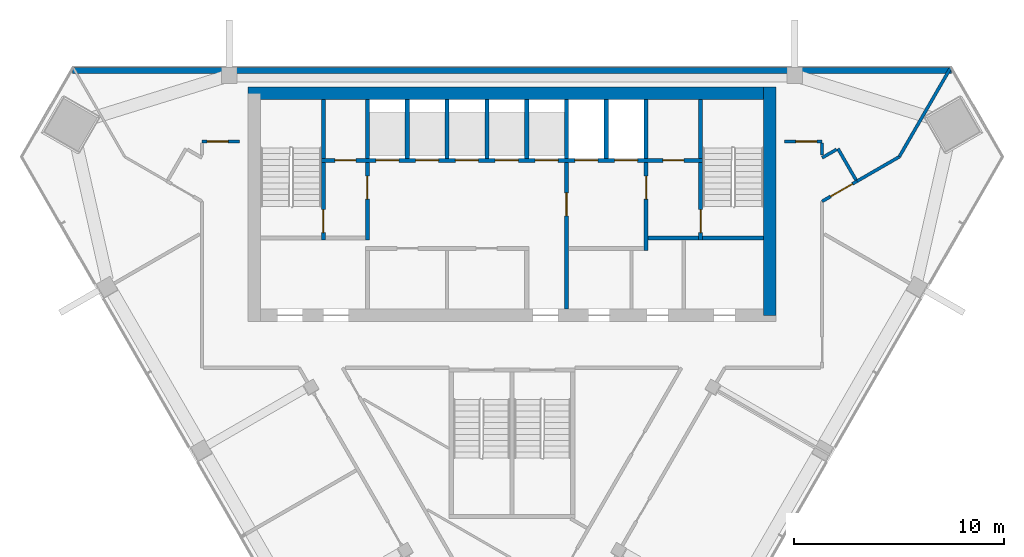
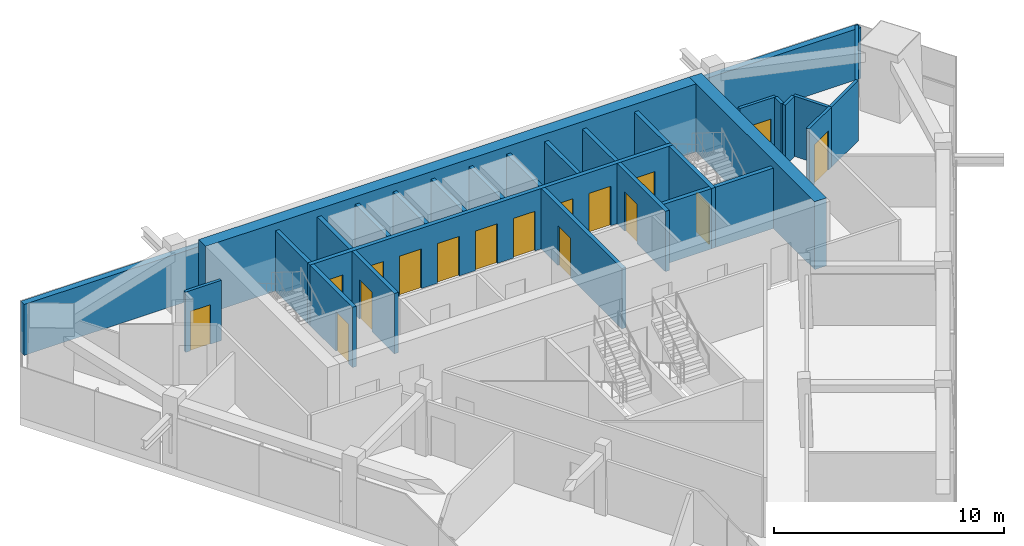
# One storey, part 9 of 12: 29 walls, 17 doors, 17 openings.
"""IFC4 building model written with IfcOpenShell, lengths in metres."""

from ifc_helpers import new_model, si_unit, direction, frame, frame_2d, origin, place, context, subcontext, project, spatial, rectangle, extrude, material, layer, layer_set, type_object, element, fill, save


model = new_model("IFC4")

# Units and contexts
model_context = context("Model", 3, precision=1e-05, world=origin(), true_north=direction((0.0, 1.0)))
body_context = subcontext(model_context, "Body", "Model", "MODEL_VIEW")
ifc_project = project(units=[si_unit("LENGTHUNIT", "METRE"), si_unit("AREAUNIT", "SQUARE_METRE"), si_unit("VOLUMEUNIT", "CUBIC_METRE"), si_unit("PLANEANGLEUNIT", "RADIAN"), si_unit("MASSUNIT", "GRAM", prefix="KILO")], contexts=[model_context])

# Site, building, storey
site_placement = place(None, origin())
site = spatial("IfcSite", under=ifc_project, at=site_placement, CompositionType="ELEMENT")
building_placement = place(site_placement, origin())
building = spatial("IfcBuilding", under=site, at=building_placement, Name="Altiplano Prism Tower", CompositionType="ELEMENT")
storey_placement = place(building_placement, frame((0.0, 0.0, 260.800048828125)))
storey = spatial("IfcBuildingStorey", under=building, at=storey_placement, Name="L67", CompositionType="ELEMENT", Elevation=260.800048828125)

# Walls
ifc_material_1 = material(Name="Concrete C60/75", Category="concrete")
ifc_layer_1 = layer(ifc_material_1, 0.60009765625)
ifc_layer_set_1 = layer_set([ifc_layer_1], Name="Concrete C60/75")
wall_type_1 = type_object("IfcWallType", Name="Core wall 600", PredefinedType="SHEAR", material=ifc_layer_set_1)
wall_1_placement = place(storey_placement, frame((97.300048828125, 93.10009765625, 0.0), z_axis=(0.0, 0.0, 1.0), x_axis=(0.0, 1.0, 0.0)))
element("IfcWall", 1, at=wall_1_placement, inside=storey, type_object=wall_type_1, Name="Core wall E L67", PredefinedType="SHEAR", context=body_context, shape_type="SweptSolid", body=[
    extrude(rectangle(XDim=10.89990234375, YDim=0.60009765625, at=frame_2d((5.449951171875, 0.0))), origin(), (0.0, 0.0, 1.0), 3.599853515625),
])
wall_2_placement = place(storey_placement, frame((97.300048828125, 103.699951171875, 0.0), z_axis=(0.0, 0.0, 1.0), x_axis=(-1.0, 0.0, 0.0)))
element("IfcWall", 2, at=wall_2_placement, inside=storey, type_object=wall_type_1, Name="Core wall N L67", PredefinedType="SHEAR", context=body_context, shape_type="SweptSolid", body=[
    extrude(rectangle(XDim=24.900146484375, YDim=0.60009765625, at=frame_2d((12.4501953125, 0.0))), origin(), (0.0, 0.0, 1.0), 3.599853515625),
])

# Wall, opening, door
ifc_material_2 = material(Name="Plasterboard on steel stud", Category="steel")
ifc_layer_2 = layer(ifc_material_2, 0.14990234375)
ifc_layer_set_2 = layer_set([ifc_layer_2], Name="Plasterboard on steel stud")
wall_type_2 = type_object("IfcWallType", Name="Partition 150 corridor", PredefinedType="PARTITIONING", material=ifc_layer_set_2)
wall_3_placement = place(storey_placement, frame((99.800048828125, 98.543212890625, 0.0), z_axis=(0.0, 0.0, 1.0), x_axis=(0.865996321171, 0.50005036918, 0.0)))
wall_3 = element("IfcWall", 3, at=wall_3_placement, inside=storey, type_object=wall_type_2, Name="Partition P06 L67 010", PredefinedType="PARTITIONING", context=body_context, shape_type="SweptSolid", body=[
    extrude(rectangle(XDim=1.933349609375, YDim=0.14990234375, at=frame_2d((0.966796875, 0.0))), origin(), (0.0, 0.0, 1.0), 3.199951171875),
])
opening_1_placement = place(wall_3_placement, frame((0.466064453125, 0.0, 0.0)))
opening_1 = element("IfcOpeningElement", 4, at=opening_1_placement, cuts=wall_3, Name="Opening D2149", PredefinedType="OPENING", context=body_context, shape_type="SweptSolid", body=[
    extrude(rectangle(XDim=1.199951171875, YDim=2.10009765625, at=frame_2d((0.60009765625, 1.050048828125))), frame((0.0, 0.08544921875, 0.0), z_axis=(0.0, -1.0, 0.0), x_axis=(1.0, 0.0, 0.0)), (0.0, 0.0, 1.0), 0.1708984375),
])
ifc_material_3 = material(Name="Timber", Category="wood")
door_type_1 = type_object("IfcDoorType", Name="Shared room door 1200 x 2100", OperationType="NOTDEFINED", PredefinedType="NOTDEFINED", material=ifc_material_3)
door_1_placement = place(opening_1_placement, origin())
door_1 = element("IfcDoor", 5, at=door_1_placement, inside=storey, type_object=door_type_1, Name="Door D2149", OperationType="SINGLE_SWING_RIGHT", OverallHeight=2.10009765625, OverallWidth=1.199951171875, PredefinedType="NOTDEFINED", context=body_context, shape_type="SweptSolid", body=[
    extrude(rectangle(XDim=1.199951171875, YDim=2.10009765625, at=frame_2d((0.60009765625, 1.050048828125))), frame((0.0, 0.02490234375, 0.0), z_axis=(0.0, -1.0, 0.0), x_axis=(1.0, 0.0, 0.0)), (0.0, 0.0, 1.0), 0.050048828125),
])
fill(opening_1, door_1)

wall_4_placement = place(storey_placement, frame((72.0, 101.39990234375, 0.0), z_axis=(0.0, 0.0, 1.0), x_axis=(-1.0, 0.0, 0.0)))
wall_4 = element("IfcWall", 6, at=wall_4_placement, inside=storey, type_object=wall_type_2, Name="Partition P06 L67 011", PredefinedType="PARTITIONING", context=body_context, shape_type="SweptSolid", body=[
    extrude(rectangle(XDim=1.800048828125, YDim=0.14990234375, at=frame_2d((0.89990234375, 0.0))), origin(), (0.0, 0.0, 1.0), 3.199951171875),
])
opening_2_placement = place(wall_4_placement, frame((0.550048828125, 0.0, 0.0)))
opening_2 = element("IfcOpeningElement", 7, at=opening_2_placement, cuts=wall_4, Name="Opening D2150", PredefinedType="OPENING", context=body_context, shape_type="SweptSolid", body=[
    extrude(rectangle(XDim=1.0, YDim=2.10009765625, at=frame_2d((0.5, 1.050048828125))), frame((0.0, 0.08544921875, 0.0), z_axis=(0.0, -1.0, 0.0), x_axis=(1.0, 0.0, 0.0)), (0.0, 0.0, 1.0), 0.1708984375),
])
door_type_2 = type_object("IfcDoorType", Name="Room door 1000 x 2100", OperationType="NOTDEFINED", PredefinedType="NOTDEFINED", material=ifc_material_3)
door_2_placement = place(opening_2_placement, origin())
door_2 = element("IfcDoor", 8, at=door_2_placement, inside=storey, type_object=door_type_2, Name="Door D2150", OperationType="SINGLE_SWING_LEFT", OverallHeight=2.10009765625, OverallWidth=1.0, PredefinedType="NOTDEFINED", context=body_context, shape_type="SweptSolid", body=[
    extrude(rectangle(XDim=1.0, YDim=2.10009765625, at=frame_2d((0.5, 1.050048828125))), frame((0.0, 0.02490234375, 0.0), z_axis=(0.0, -1.0, 0.0), x_axis=(1.0, 0.0, 0.0)), (0.0, 0.0, 1.0), 0.050048828125),
])
fill(opening_2, door_2)

# Walls
wall_5_placement = place(storey_placement, frame((101.41943359375, 99.56494140625, 0.0), z_axis=(0.0, 0.0, 1.0), x_axis=(-0.499914405916, 0.866074815912, 0.0)))
element("IfcWall", 9, at=wall_5_placement, inside=storey, type_object=wall_type_2, Name="Partition P06 L67 015", PredefinedType="PARTITIONING", context=body_context, shape_type="SweptSolid", body=[
    extrude(rectangle(XDim=1.724853515625, YDim=0.14990234375, at=frame_2d((0.8623046875, 0.0))), origin(), (0.0, 0.0, 1.0), 3.199951171875),
])
wall_6_placement = place(storey_placement, frame((100.4921875, 101.021240234375, 0.0), z_axis=(0.0, 0.0, 1.0), x_axis=(-0.86612963205, -0.499819427878, 0.0)))
element("IfcWall", 10, at=wall_6_placement, inside=storey, type_object=wall_type_2, Name="Partition P06 L67 016", PredefinedType="PARTITIONING", context=body_context, shape_type="SweptSolid", body=[
    extrude(rectangle(XDim=0.799072265625, YDim=0.14990234375, at=frame_2d((0.3994140625, 0.0))), origin(), (0.0, 0.0, 1.0), 3.199951171875),
])
wall_7_placement = place(storey_placement, frame((99.800048828125, 100.751708984375, 0.0), z_axis=(0.0, 0.0, 1.0), x_axis=(0.0, 1.0, 0.0)))
element("IfcWall", 11, at=wall_7_placement, inside=storey, type_object=wall_type_2, Name="Partition P06 L67 017", PredefinedType="PARTITIONING", context=body_context, shape_type="SweptSolid", body=[
    extrude(rectangle(XDim=0.5732421875, YDim=0.14990234375, at=frame_2d((0.28662109375, 0.0))), origin(), (0.0, 0.0, 1.0), 3.199951171875),
])

# Wall, opening, door
wall_8_placement = place(storey_placement, frame((99.800048828125, 101.39990234375, 0.0), z_axis=(0.0, 0.0, 1.0), x_axis=(-1.0, 0.0, 0.0)))
wall_8 = element("IfcWall", 12, at=wall_8_placement, inside=storey, type_object=wall_type_2, Name="Partition P06 L67 018", PredefinedType="PARTITIONING", context=body_context, shape_type="SweptSolid", body=[
    extrude(rectangle(XDim=1.800048828125, YDim=0.14990234375, at=frame_2d((0.89990234375, 0.0))), origin(), (0.0, 0.0, 1.0), 3.199951171875),
])
opening_3_placement = place(wall_8_placement, frame((0.25, 0.0, 0.0)))
opening_3 = element("IfcOpeningElement", 13, at=opening_3_placement, cuts=wall_8, Name="Opening D2151", PredefinedType="OPENING", context=body_context, shape_type="SweptSolid", body=[
    extrude(rectangle(XDim=1.0, YDim=2.10009765625, at=frame_2d((0.5, 1.050048828125))), frame((0.0, 0.08544921875, 0.0), z_axis=(0.0, -1.0, 0.0), x_axis=(1.0, 0.0, 0.0)), (0.0, 0.0, 1.0), 0.1708984375),
])
door_type_3 = type_object("IfcDoorType", Name="Store door 1000 x 2100", OperationType="NOTDEFINED", PredefinedType="NOTDEFINED", material=ifc_material_3)
door_3_placement = place(opening_3_placement, origin())
door_3 = element("IfcDoor", 14, at=door_3_placement, inside=storey, type_object=door_type_3, Name="Door D2151", OperationType="SINGLE_SWING_RIGHT", OverallHeight=2.10009765625, OverallWidth=1.0, PredefinedType="NOTDEFINED", context=body_context, shape_type="SweptSolid", body=[
    extrude(rectangle(XDim=1.0, YDim=2.10009765625, at=frame_2d((0.5, 1.050048828125))), frame((0.0, 0.02490234375, 0.0), z_axis=(0.0, -1.0, 0.0), x_axis=(1.0, 0.0, 0.0)), (0.0, 0.0, 1.0), 0.050048828125),
])
fill(opening_3, door_3)

# Walls
ifc_layer_3 = layer(ifc_material_2, 0.14990234375)
ifc_layer_set_3 = layer_set([ifc_layer_3], Name="Plasterboard on steel stud")
wall_type_3 = type_object("IfcWallType", Name="Partition 150 party", PredefinedType="PARTITIONING", material=ifc_layer_set_3)
wall_9_placement = place(storey_placement, frame((105.92431640625, 104.89990234375, 0.0), z_axis=(0.0, 0.0, 1.0), x_axis=(-0.499997844476, -0.866026648273, 0.0)))
element("IfcWall", 15, at=wall_9_placement, inside=storey, type_object=wall_type_3, Name="Partition P01 L67 032", PredefinedType="PARTITIONING", context=body_context, shape_type="SweptSolid", body=[
    extrude(rectangle(XDim=4.8857421875, YDim=0.14990234375, at=frame_2d((2.44287109375, 0.0))), origin(), (0.0, 0.0, 1.0), 2.699951171875),
])
wall_10_placement = place(storey_placement, frame((103.4814453125, 100.668701171875, 0.0), z_axis=(0.0, 0.0, 1.0), x_axis=(-0.866042970182, -0.499969572873, 0.0)))
element("IfcWall", 16, at=wall_10_placement, inside=storey, type_object=wall_type_3, Name="Partition P01 L67 033", PredefinedType="PARTITIONING", context=body_context, shape_type="SweptSolid", body=[
    extrude(rectangle(XDim=2.337646484375, YDim=0.14990234375, at=frame_2d((1.1689453125, 0.0))), origin(), (0.0, 0.0, 1.0), 3.199951171875),
])
ifc_layer_4 = layer(ifc_material_1, 0.199951171875)
ifc_layer_set_4 = layer_set([ifc_layer_4], Name="Concrete C60/75")
wall_type_4 = type_object("IfcWallType", Name="Shaft wall 200", PredefinedType="SOLIDWALL", material=ifc_layer_set_4)
for number, where, z_axis, x_axis, name in (
    (17, (78.10009765625, 100.60009765625, 0.0), (0.0, 0.0, 1.0), (0.0, 1.0, 0.0), "Shaft wall L67"),
    (18, (80.0, 100.60009765625, 0.0), (0.0, 0.0, 1.0), (0.0, 1.0, 0.0), "Shaft wall L67"),
    (19, (81.89990234375, 100.60009765625, 0.0), (0.0, 0.0, 1.0), (0.0, 1.0, 0.0), "Shaft wall L67"),
    (20, (83.800048828125, 100.60009765625, 0.0), (0.0, 0.0, 1.0), (0.0, 1.0, 0.0), "Shaft wall L67"),
    (21, (85.699951171875, 100.60009765625, 0.0), (0.0, 0.0, 1.0), (0.0, 1.0, 0.0), "Shaft wall L67"),
    (22, (87.60009765625, 100.60009765625, 0.0), (0.0, 0.0, 1.0), (0.0, 1.0, 0.0), "Shaft wall L67"),
    (23, (89.5, 100.60009765625, 0.0), (0.0, 0.0, 1.0), (0.0, 1.0, 0.0), "Shaft wall L67"),
    (24, (91.39990234375, 100.60009765625, 0.0), (0.0, 0.0, 1.0), (0.0, 1.0, 0.0), "Shaft wall L67"),
):
    element("IfcWall", number, at=place(storey_placement, frame(where, z_axis=z_axis, x_axis=x_axis)), inside=storey, type_object=wall_type_4, Name=name, PredefinedType="SOLIDWALL", context=body_context, shape_type="SweptSolid", body=[
        extrude(rectangle(XDim=2.7998046875, YDim=0.199951171875, at=frame_2d((1.39990234375, 0.0))), origin(), (0.0, 0.0, 1.0), 3.199951171875),
    ])

# Wall, opening, door
ifc_layer_5 = layer(ifc_material_1, 0.199951171875)
ifc_layer_set_5 = layer_set([ifc_layer_5], Name="Concrete C60/75")
wall_type_5 = type_object("IfcWallType", Name="Stair wall 200", PredefinedType="SOLIDWALL", material=ifc_layer_set_5)
wall_11_placement = place(storey_placement, frame((76.0, 96.699951171875, 0.0), z_axis=(0.0, 0.0, 1.0), x_axis=(0.0, 1.0, 0.0)))
wall_11 = element("IfcWall", 25, at=wall_11_placement, inside=storey, type_object=wall_type_5, Name="Stair wall L67", PredefinedType="SOLIDWALL", context=body_context, shape_type="SweptSolid", body=[
    extrude(rectangle(XDim=3.699951171875, YDim=0.199951171875, at=frame_2d((1.85009765625, 0.0))), origin(), (0.0, 0.0, 1.0), 3.199951171875),
])
opening_4_placement = place(wall_11_placement, frame((0.35009765625, 0.0, 0.0)))
opening_4 = element("IfcOpeningElement", 26, at=opening_4_placement, cuts=wall_11, Name="Opening D3517", PredefinedType="OPENING", context=body_context, shape_type="SweptSolid", body=[
    extrude(rectangle(XDim=1.10009765625, YDim=2.10009765625, at=frame_2d((0.550048828125, 1.050048828125))), frame((0.0, 0.1103515625, 0.0), z_axis=(0.0, -1.0, 0.0), x_axis=(1.0, 0.0, 0.0)), (0.0, 0.0, 1.0), 0.220947265625),
])
ifc_material_4 = material(Name="Fire-rated steel door", Category="steel")
door_type_4 = type_object("IfcDoorType", Name="Stair fire door 1100 x 2100", OperationType="NOTDEFINED", PredefinedType="NOTDEFINED", material=ifc_material_4)
door_4_placement = place(opening_4_placement, origin())
door_4 = element("IfcDoor", 27, at=door_4_placement, inside=storey, type_object=door_type_4, Name="Stair fire door D3517", OperationType="SINGLE_SWING_RIGHT", OverallHeight=2.10009765625, OverallWidth=1.10009765625, PredefinedType="NOTDEFINED", context=body_context, shape_type="SweptSolid", body=[
    extrude(rectangle(XDim=1.10009765625, YDim=2.10009765625, at=frame_2d((0.550048828125, 1.050048828125))), frame((0.0, 0.02490234375, 0.0), z_axis=(0.0, -1.0, 0.0), x_axis=(1.0, 0.0, 0.0)), (0.0, 0.0, 1.0), 0.050048828125),
])
fill(opening_4, door_4)

wall_12_placement = place(storey_placement, frame((94.0, 96.699951171875, 0.0), z_axis=(0.0, 0.0, 1.0), x_axis=(0.0, 1.0, 0.0)))
wall_12 = element("IfcWall", 28, at=wall_12_placement, inside=storey, type_object=wall_type_5, Name="Stair wall L67", PredefinedType="SOLIDWALL", context=body_context, shape_type="SweptSolid", body=[
    extrude(rectangle(XDim=3.699951171875, YDim=0.199951171875, at=frame_2d((1.85009765625, 0.0))), origin(), (0.0, 0.0, 1.0), 3.199951171875),
])
opening_5_placement = place(wall_12_placement, frame((0.35009765625, 0.0, 0.0)))
opening_5 = element("IfcOpeningElement", 29, at=opening_5_placement, cuts=wall_12, Name="Opening D3518", PredefinedType="OPENING", context=body_context, shape_type="SweptSolid", body=[
    extrude(rectangle(XDim=1.10009765625, YDim=2.10009765625, at=frame_2d((0.550048828125, 1.050048828125))), frame((0.0, 0.1103515625, 0.0), z_axis=(0.0, -1.0, 0.0), x_axis=(1.0, 0.0, 0.0)), (0.0, 0.0, 1.0), 0.220947265625),
])
door_5_placement = place(opening_5_placement, origin())
door_5 = element("IfcDoor", 30, at=door_5_placement, inside=storey, type_object=door_type_4, Name="Stair fire door D3518", OperationType="SINGLE_SWING_LEFT", OverallHeight=2.10009765625, OverallWidth=1.10009765625, PredefinedType="NOTDEFINED", context=body_context, shape_type="SweptSolid", body=[
    extrude(rectangle(XDim=1.10009765625, YDim=2.10009765625, at=frame_2d((0.550048828125, 1.050048828125))), frame((0.0, 0.02490234375, 0.0), z_axis=(0.0, -1.0, 0.0), x_axis=(1.0, 0.0, 0.0)), (0.0, 0.0, 1.0), 0.050048828125),
])
fill(opening_5, door_5)

# Wall
wall_13_placement = place(storey_placement, frame((94.10009765625, 96.800048828125, 0.0), z_axis=(0.0, 0.0, 1.0), x_axis=(1.0, 0.0, 0.0)))
element("IfcWall", 31, at=wall_13_placement, inside=storey, type_object=wall_type_5, Name="Stair wall L67", PredefinedType="SOLIDWALL", context=body_context, shape_type="SweptSolid", body=[
    extrude(rectangle(XDim=2.89990234375, YDim=0.199951171875, at=frame_2d((1.449951171875, 0.0))), origin(), (0.0, 0.0, 1.0), 3.199951171875),
])

# Wall, openings, doors
wall_14_placement = place(storey_placement, frame((75.89990234375, 100.5, 0.0), z_axis=(0.0, 0.0, 1.0), x_axis=(1.0, 0.0, 0.0)))
wall_14 = element("IfcWall", 32, at=wall_14_placement, inside=storey, type_object=wall_type_5, Name="Stair wall L67", PredefinedType="SOLIDWALL", context=body_context, shape_type="SweptSolid", body=[
    extrude(rectangle(XDim=18.2001953125, YDim=0.199951171875, at=frame_2d((9.10009765625, 0.0))), origin(), (0.0, 0.0, 1.0), 3.199951171875),
])
opening_6_placement = place(wall_14_placement, frame((2.60009765625, 0.0, 0.0)))
opening_6 = element("IfcOpeningElement", 33, at=opening_6_placement, cuts=wall_14, Name="Opening LD-HL1-L67", PredefinedType="OPENING", context=body_context, shape_type="SweptSolid", body=[
    extrude(rectangle(XDim=1.10009765625, YDim=2.10009765625, at=frame_2d((0.550048828125, 1.050048828125))), frame((0.0, 0.1103515625, 0.0), z_axis=(0.0, -1.0, 0.0), x_axis=(1.0, 0.0, 0.0)), (0.0, 0.0, 1.0), 0.220947265625),
])
opening_7_placement = place(wall_14_placement, frame((4.5, 0.0, 0.0)))
opening_7 = element("IfcOpeningElement", 34, at=opening_7_placement, cuts=wall_14, Name="Opening LD-HL2-L67", PredefinedType="OPENING", context=body_context, shape_type="SweptSolid", body=[
    extrude(rectangle(XDim=1.10009765625, YDim=2.10009765625, at=frame_2d((0.550048828125, 1.050048828125))), frame((0.0, 0.1103515625, 0.0), z_axis=(0.0, -1.0, 0.0), x_axis=(1.0, 0.0, 0.0)), (0.0, 0.0, 1.0), 0.220947265625),
])
opening_8_placement = place(wall_14_placement, frame((6.39990234375, 0.0, 0.0)))
opening_8 = element("IfcOpeningElement", 35, at=opening_8_placement, cuts=wall_14, Name="Opening LD-HL3-L67", PredefinedType="OPENING", context=body_context, shape_type="SweptSolid", body=[
    extrude(rectangle(XDim=1.10009765625, YDim=2.10009765625, at=frame_2d((0.550048828125, 1.050048828125))), frame((0.0, 0.1103515625, 0.0), z_axis=(0.0, -1.0, 0.0), x_axis=(1.0, 0.0, 0.0)), (0.0, 0.0, 1.0), 0.220947265625),
])
opening_9_placement = place(wall_14_placement, frame((8.300048828125, 0.0, 0.0)))
opening_9 = element("IfcOpeningElement", 36, at=opening_9_placement, cuts=wall_14, Name="Opening LD-HL4-L67", PredefinedType="OPENING", context=body_context, shape_type="SweptSolid", body=[
    extrude(rectangle(XDim=1.10009765625, YDim=2.10009765625, at=frame_2d((0.550048828125, 1.050048828125))), frame((0.0, 0.1103515625, 0.0), z_axis=(0.0, -1.0, 0.0), x_axis=(1.0, 0.0, 0.0)), (0.0, 0.0, 1.0), 0.220947265625),
])
opening_10_placement = place(wall_14_placement, frame((10.199951171875, 0.0, 0.0)))
opening_10 = element("IfcOpeningElement", 37, at=opening_10_placement, cuts=wall_14, Name="Opening LD-HL5-L67", PredefinedType="OPENING", context=body_context, shape_type="SweptSolid", body=[
    extrude(rectangle(XDim=1.10009765625, YDim=2.10009765625, at=frame_2d((0.550048828125, 1.050048828125))), frame((0.0, 0.1103515625, 0.0), z_axis=(0.0, -1.0, 0.0), x_axis=(1.0, 0.0, 0.0)), (0.0, 0.0, 1.0), 0.220947265625),
])
opening_11_placement = place(wall_14_placement, frame((12.10009765625, 0.0, 0.0)))
opening_11 = element("IfcOpeningElement", 38, at=opening_11_placement, cuts=wall_14, Name="Opening LD-FF1-L67", PredefinedType="OPENING", context=body_context, shape_type="SweptSolid", body=[
    extrude(rectangle(XDim=1.10009765625, YDim=2.10009765625, at=frame_2d((0.550048828125, 1.050048828125))), frame((0.0, 0.1103515625, 0.0), z_axis=(0.0, -1.0, 0.0), x_axis=(1.0, 0.0, 0.0)), (0.0, 0.0, 1.0), 0.220947265625),
])
opening_12_placement = place(wall_14_placement, frame((14.0, 0.0, 0.0)))
opening_12 = element("IfcOpeningElement", 39, at=opening_12_placement, cuts=wall_14, Name="Opening LD-FF2-L67", PredefinedType="OPENING", context=body_context, shape_type="SweptSolid", body=[
    extrude(rectangle(XDim=1.10009765625, YDim=2.10009765625, at=frame_2d((0.550048828125, 1.050048828125))), frame((0.0, 0.1103515625, 0.0), z_axis=(0.0, -1.0, 0.0), x_axis=(1.0, 0.0, 0.0)), (0.0, 0.0, 1.0), 0.220947265625),
])
opening_13_placement = place(wall_14_placement, frame((0.64990234375, 0.0, 0.0)))
opening_13 = element("IfcOpeningElement", 40, at=opening_13_placement, cuts=wall_14, Name="Opening D3525", PredefinedType="OPENING", context=body_context, shape_type="SweptSolid", body=[
    extrude(rectangle(XDim=1.0, YDim=2.10009765625, at=frame_2d((0.5, 1.050048828125))), frame((0.0, 0.1103515625, 0.0), z_axis=(0.0, -1.0, 0.0), x_axis=(1.0, 0.0, 0.0)), (0.0, 0.0, 1.0), 0.220947265625),
])
opening_14_placement = place(wall_14_placement, frame((16.300048828125, 0.0, 0.0)))
opening_14 = element("IfcOpeningElement", 41, at=opening_14_placement, cuts=wall_14, Name="Opening D3526", PredefinedType="OPENING", context=body_context, shape_type="SweptSolid", body=[
    extrude(rectangle(XDim=1.0, YDim=2.10009765625, at=frame_2d((0.5, 1.050048828125))), frame((0.0, 0.1103515625, 0.0), z_axis=(0.0, -1.0, 0.0), x_axis=(1.0, 0.0, 0.0)), (0.0, 0.0, 1.0), 0.220947265625),
])
door_type_5 = type_object("IfcDoorType", Name="Core room door 1000 x 2100", OperationType="NOTDEFINED", PredefinedType="NOTDEFINED", material=ifc_material_4)
door_6_placement = place(opening_13_placement, origin())
door_6 = element("IfcDoor", 42, at=door_6_placement, inside=storey, type_object=door_type_5, Name="Core room door D3525", OperationType="SINGLE_SWING_LEFT", OverallHeight=2.10009765625, OverallWidth=1.0, PredefinedType="NOTDEFINED", context=body_context, shape_type="SweptSolid", body=[
    extrude(rectangle(XDim=1.0, YDim=2.10009765625, at=frame_2d((0.5, 1.050048828125))), frame((0.0, 0.02490234375, 0.0), z_axis=(0.0, -1.0, 0.0), x_axis=(1.0, 0.0, 0.0)), (0.0, 0.0, 1.0), 0.050048828125),
])
fill(opening_13, door_6)
door_7_placement = place(opening_14_placement, origin())
door_7 = element("IfcDoor", 43, at=door_7_placement, inside=storey, type_object=door_type_5, Name="Core room door D3526", OperationType="SINGLE_SWING_RIGHT", OverallHeight=2.10009765625, OverallWidth=1.0, PredefinedType="NOTDEFINED", context=body_context, shape_type="SweptSolid", body=[
    extrude(rectangle(XDim=1.0, YDim=2.10009765625, at=frame_2d((0.5, 1.050048828125))), frame((0.0, 0.02490234375, 0.0), z_axis=(0.0, -1.0, 0.0), x_axis=(1.0, 0.0, 0.0)), (0.0, 0.0, 1.0), 0.050048828125),
])
fill(opening_14, door_7)
ifc_material_5 = material(Name="Stainless steel landing door", Category="steel")
door_type_6 = type_object("IfcDoorType", Name="Landing door 1100 x 2100", OperationType="NOTDEFINED", PredefinedType="NOTDEFINED", material=ifc_material_5)
door_8_placement = place(opening_6_placement, origin())
door_8 = element("IfcDoor", 44, at=door_8_placement, inside=storey, type_object=door_type_6, Name="Landing doors HL1", OperationType="SLIDING_TO_RIGHT", OverallHeight=2.10009765625, OverallWidth=1.10009765625, PredefinedType="NOTDEFINED", context=body_context, shape_type="SweptSolid", body=[
    extrude(rectangle(XDim=1.10009765625, YDim=2.10009765625, at=frame_2d((0.550048828125, 1.050048828125))), frame((0.0, 0.02490234375, 0.0), z_axis=(0.0, -1.0, 0.0), x_axis=(1.0, 0.0, 0.0)), (0.0, 0.0, 1.0), 0.050048828125),
])
fill(opening_6, door_8)
door_9_placement = place(opening_7_placement, origin())
door_9 = element("IfcDoor", 45, at=door_9_placement, inside=storey, type_object=door_type_6, Name="Landing doors HL2", OperationType="SLIDING_TO_LEFT", OverallHeight=2.10009765625, OverallWidth=1.10009765625, PredefinedType="NOTDEFINED", context=body_context, shape_type="SweptSolid", body=[
    extrude(rectangle(XDim=1.10009765625, YDim=2.10009765625, at=frame_2d((0.550048828125, 1.050048828125))), frame((0.0, 0.02490234375, 0.0), z_axis=(0.0, -1.0, 0.0), x_axis=(1.0, 0.0, 0.0)), (0.0, 0.0, 1.0), 0.050048828125),
])
fill(opening_7, door_9)
door_10_placement = place(opening_8_placement, origin())
door_10 = element("IfcDoor", 46, at=door_10_placement, inside=storey, type_object=door_type_6, Name="Landing doors HL3", OperationType="SLIDING_TO_RIGHT", OverallHeight=2.10009765625, OverallWidth=1.10009765625, PredefinedType="NOTDEFINED", context=body_context, shape_type="SweptSolid", body=[
    extrude(rectangle(XDim=1.10009765625, YDim=2.10009765625, at=frame_2d((0.550048828125, 1.050048828125))), frame((0.0, 0.02490234375, 0.0), z_axis=(0.0, -1.0, 0.0), x_axis=(1.0, 0.0, 0.0)), (0.0, 0.0, 1.0), 0.050048828125),
])
fill(opening_8, door_10)
door_11_placement = place(opening_9_placement, origin())
door_11 = element("IfcDoor", 47, at=door_11_placement, inside=storey, type_object=door_type_6, Name="Landing doors HL4", OperationType="SLIDING_TO_LEFT", OverallHeight=2.10009765625, OverallWidth=1.10009765625, PredefinedType="NOTDEFINED", context=body_context, shape_type="SweptSolid", body=[
    extrude(rectangle(XDim=1.10009765625, YDim=2.10009765625, at=frame_2d((0.550048828125, 1.050048828125))), frame((0.0, 0.02490234375, 0.0), z_axis=(0.0, -1.0, 0.0), x_axis=(1.0, 0.0, 0.0)), (0.0, 0.0, 1.0), 0.050048828125),
])
fill(opening_9, door_11)
door_12_placement = place(opening_10_placement, origin())
door_12 = element("IfcDoor", 48, at=door_12_placement, inside=storey, type_object=door_type_6, Name="Landing doors HL5", OperationType="SLIDING_TO_RIGHT", OverallHeight=2.10009765625, OverallWidth=1.10009765625, PredefinedType="NOTDEFINED", context=body_context, shape_type="SweptSolid", body=[
    extrude(rectangle(XDim=1.10009765625, YDim=2.10009765625, at=frame_2d((0.550048828125, 1.050048828125))), frame((0.0, 0.02490234375, 0.0), z_axis=(0.0, -1.0, 0.0), x_axis=(1.0, 0.0, 0.0)), (0.0, 0.0, 1.0), 0.050048828125),
])
fill(opening_10, door_12)
door_13_placement = place(opening_11_placement, origin())
door_13 = element("IfcDoor", 49, at=door_13_placement, inside=storey, type_object=door_type_6, Name="Landing doors FF1", OperationType="SLIDING_TO_RIGHT", OverallHeight=2.10009765625, OverallWidth=1.10009765625, PredefinedType="NOTDEFINED", context=body_context, shape_type="SweptSolid", body=[
    extrude(rectangle(XDim=1.10009765625, YDim=2.10009765625, at=frame_2d((0.550048828125, 1.050048828125))), frame((0.0, 0.02490234375, 0.0), z_axis=(0.0, -1.0, 0.0), x_axis=(1.0, 0.0, 0.0)), (0.0, 0.0, 1.0), 0.050048828125),
])
fill(opening_11, door_13)
door_14_placement = place(opening_12_placement, origin())
door_14 = element("IfcDoor", 50, at=door_14_placement, inside=storey, type_object=door_type_6, Name="Landing doors FF2", OperationType="SLIDING_TO_LEFT", OverallHeight=2.10009765625, OverallWidth=1.10009765625, PredefinedType="NOTDEFINED", context=body_context, shape_type="SweptSolid", body=[
    extrude(rectangle(XDim=1.10009765625, YDim=2.10009765625, at=frame_2d((0.550048828125, 1.050048828125))), frame((0.0, 0.02490234375, 0.0), z_axis=(0.0, -1.0, 0.0), x_axis=(1.0, 0.0, 0.0)), (0.0, 0.0, 1.0), 0.050048828125),
])
fill(opening_12, door_14)

# Walls
for number, where, z_axis, x_axis, name in (
    (51, (76.0, 100.60009765625, 0.0), (0.0, 0.0, 1.0), (0.0, 1.0, 0.0), "Stair wall L67"),
    (52, (94.0, 100.60009765625, 0.0), (0.0, 0.0, 1.0), (0.0, 1.0, 0.0), "Stair wall L67"),
):
    element("IfcWall", number, at=place(storey_placement, frame(where, z_axis=z_axis, x_axis=x_axis)), inside=storey, type_object=wall_type_5, Name=name, PredefinedType="SOLIDWALL", context=body_context, shape_type="SweptSolid", body=[
        extrude(rectangle(XDim=2.7998046875, YDim=0.199951171875, at=frame_2d((1.39990234375, 0.0))), origin(), (0.0, 0.0, 1.0), 3.199951171875),
    ])
ifc_material_6 = material(Name="Concrete C40", Category="concrete")
ifc_layer_6 = layer(ifc_material_6, 0.300048828125)
ifc_layer_set_6 = layer_set([ifc_layer_6], Name="Concrete C40")
wall_type_6 = type_object("IfcWallType", Name="Stone-clad external wall 300", PredefinedType="SOLIDWALL", material=ifc_layer_set_6)
wall_15_placement = place(storey_placement, frame((64.017822265625, 104.7900390625, 0.0), z_axis=(0.0, 0.0, 1.0), x_axis=(1.0, 0.0, 0.0)))
element("IfcWall", 53, at=wall_15_placement, inside=storey, type_object=wall_type_6, Name="External wall north face L67", PredefinedType="SOLIDWALL", context=body_context, shape_type="SweptSolid", body=[
    extrude(rectangle(XDim=41.96435546875, YDim=0.300048828125, at=frame_2d((20.982177734375, 0.0))), origin(), (0.0, 0.0, 1.0), 2.699951171875),
])

# Wall, opening, door
ifc_layer_7 = layer(ifc_material_1, 0.199951171875)
ifc_layer_set_7 = layer_set([ifc_layer_7], Name="Concrete C60/75")
wall_type_7 = type_object("IfcWallType", Name="Vestibule wall 200", PredefinedType="PARTITIONING", material=ifc_layer_set_7)
wall_16_placement = place(storey_placement, frame((87.60009765625, 93.39990234375, 0.0), z_axis=(0.0, 0.0, 1.0), x_axis=(0.0, 1.0, 0.0)))
wall_16 = element("IfcWall", 54, at=wall_16_placement, inside=storey, type_object=wall_type_7, Name="Vestibule wall L67", PredefinedType="PARTITIONING", context=body_context, shape_type="SweptSolid", body=[
    extrude(rectangle(XDim=7.0, YDim=0.199951171875, at=frame_2d((3.5, 0.0))), origin(), (0.0, 0.0, 1.0), 3.199951171875),
])
opening_15_placement = place(wall_16_placement, frame((4.449951171875, 0.0, 0.0)))
opening_15 = element("IfcOpeningElement", 55, at=opening_15_placement, cuts=wall_16, Name="Opening D3520", PredefinedType="OPENING", context=body_context, shape_type="SweptSolid", body=[
    extrude(rectangle(XDim=1.10009765625, YDim=2.10009765625, at=frame_2d((0.550048828125, 1.050048828125))), frame((0.0, 0.1103515625, 0.0), z_axis=(0.0, -1.0, 0.0), x_axis=(1.0, 0.0, 0.0)), (0.0, 0.0, 1.0), 0.220947265625),
])
door_type_7 = type_object("IfcDoorType", Name="Vestibule fire door 1100 x 2100", OperationType="NOTDEFINED", PredefinedType="NOTDEFINED", material=ifc_material_4)
door_15_placement = place(opening_15_placement, origin())
door_15 = element("IfcDoor", 56, at=door_15_placement, inside=storey, type_object=door_type_7, Name="Vestibule fire door D3520", OperationType="SINGLE_SWING_RIGHT", OverallHeight=2.10009765625, OverallWidth=1.10009765625, PredefinedType="NOTDEFINED", context=body_context, shape_type="SweptSolid", body=[
    extrude(rectangle(XDim=1.10009765625, YDim=2.10009765625, at=frame_2d((0.550048828125, 1.050048828125))), frame((0.0, 0.02490234375, 0.0), z_axis=(0.0, -1.0, 0.0), x_axis=(1.0, 0.0, 0.0)), (0.0, 0.0, 1.0), 0.050048828125),
])
fill(opening_15, door_15)

wall_17_placement = place(storey_placement, frame((91.39990234375, 96.199951171875, 0.0), z_axis=(0.0, 0.0, 1.0), x_axis=(0.0, 1.0, 0.0)))
wall_17 = element("IfcWall", 57, at=wall_17_placement, inside=storey, type_object=wall_type_7, Name="Vestibule wall L67", PredefinedType="PARTITIONING", context=body_context, shape_type="SweptSolid", body=[
    extrude(rectangle(XDim=4.199951171875, YDim=0.199951171875, at=frame_2d((2.10009765625, 0.0))), origin(), (0.0, 0.0, 1.0), 3.199951171875),
])
opening_16_placement = place(wall_17_placement, frame((2.449951171875, 0.0, 0.0)))
opening_16 = element("IfcOpeningElement", 58, at=opening_16_placement, cuts=wall_17, Name="Opening D3521", PredefinedType="OPENING", context=body_context, shape_type="SweptSolid", body=[
    extrude(rectangle(XDim=1.10009765625, YDim=2.10009765625, at=frame_2d((0.550048828125, 1.050048828125))), frame((0.0, 0.1103515625, 0.0), z_axis=(0.0, -1.0, 0.0), x_axis=(1.0, 0.0, 0.0)), (0.0, 0.0, 1.0), 0.220947265625),
])
door_16_placement = place(opening_16_placement, origin())
door_16 = element("IfcDoor", 59, at=door_16_placement, inside=storey, type_object=door_type_7, Name="Vestibule fire door D3521", OperationType="SINGLE_SWING_LEFT", OverallHeight=2.10009765625, OverallWidth=1.10009765625, PredefinedType="NOTDEFINED", context=body_context, shape_type="SweptSolid", body=[
    extrude(rectangle(XDim=1.10009765625, YDim=2.10009765625, at=frame_2d((0.550048828125, 1.050048828125))), frame((0.0, 0.02490234375, 0.0), z_axis=(0.0, -1.0, 0.0), x_axis=(1.0, 0.0, 0.0)), (0.0, 0.0, 1.0), 0.050048828125),
])
fill(opening_16, door_16)

wall_18_placement = place(storey_placement, frame((78.10009765625, 96.699951171875, 0.0), z_axis=(0.0, 0.0, 1.0), x_axis=(0.0, 1.0, 0.0)))
wall_18 = element("IfcWall", 60, at=wall_18_placement, inside=storey, type_object=wall_type_7, Name="Vestibule wall L67", PredefinedType="PARTITIONING", context=body_context, shape_type="SweptSolid", body=[
    extrude(rectangle(XDim=3.699951171875, YDim=0.199951171875, at=frame_2d((1.85009765625, 0.0))), origin(), (0.0, 0.0, 1.0), 3.199951171875),
])
opening_17_placement = place(wall_18_placement, frame((1.949951171875, 0.0, 0.0)))
opening_17 = element("IfcOpeningElement", 61, at=opening_17_placement, cuts=wall_18, Name="Opening D3519", PredefinedType="OPENING", context=body_context, shape_type="SweptSolid", body=[
    extrude(rectangle(XDim=1.10009765625, YDim=2.10009765625, at=frame_2d((0.550048828125, 1.050048828125))), frame((0.0, 0.1103515625, 0.0), z_axis=(0.0, -1.0, 0.0), x_axis=(1.0, 0.0, 0.0)), (0.0, 0.0, 1.0), 0.220947265625),
])
door_17_placement = place(opening_17_placement, origin())
door_17 = element("IfcDoor", 62, at=door_17_placement, inside=storey, type_object=door_type_7, Name="Vestibule fire door D3519", OperationType="SINGLE_SWING_LEFT", OverallHeight=2.10009765625, OverallWidth=1.10009765625, PredefinedType="NOTDEFINED", context=body_context, shape_type="SweptSolid", body=[
    extrude(rectangle(XDim=1.10009765625, YDim=2.10009765625, at=frame_2d((0.550048828125, 1.050048828125))), frame((0.0, 0.02490234375, 0.0), z_axis=(0.0, -1.0, 0.0), x_axis=(1.0, 0.0, 0.0)), (0.0, 0.0, 1.0), 0.050048828125),
])
fill(opening_17, door_17)

# Wall
wall_19_placement = place(storey_placement, frame((91.5, 96.800048828125, 0.0), z_axis=(0.0, 0.0, 1.0), x_axis=(1.0, 0.0, 0.0)))
element("IfcWall", 63, at=wall_19_placement, inside=storey, type_object=wall_type_7, Name="Vestibule wall L67", PredefinedType="PARTITIONING", context=body_context, shape_type="SweptSolid", body=[
    extrude(rectangle(XDim=2.39990234375, YDim=0.199951171875, at=frame_2d((1.199951171875, 0.0))), origin(), (0.0, 0.0, 1.0), 3.199951171875),
])

save(model, "model.ifc")
